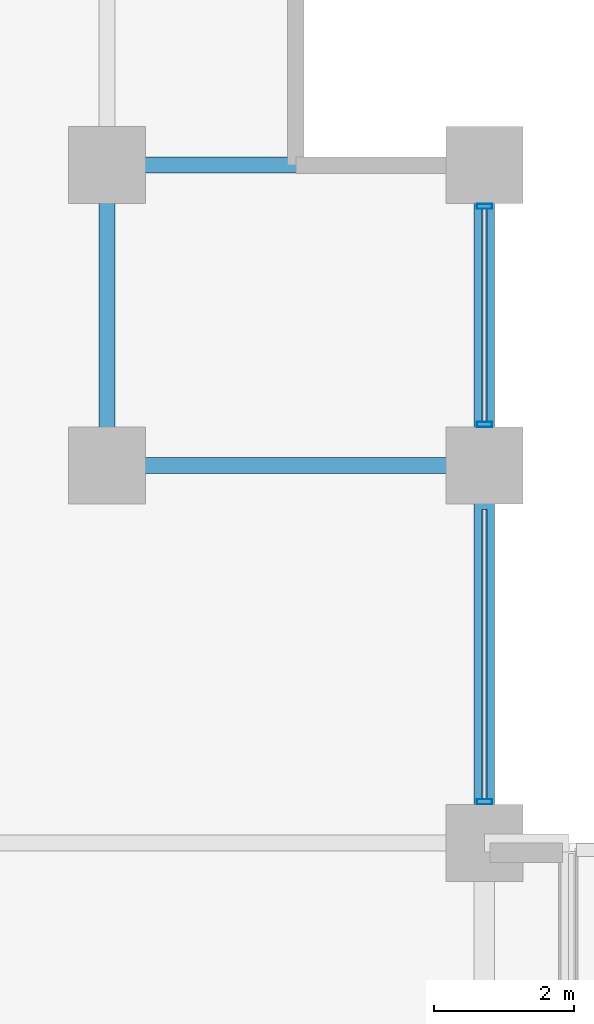
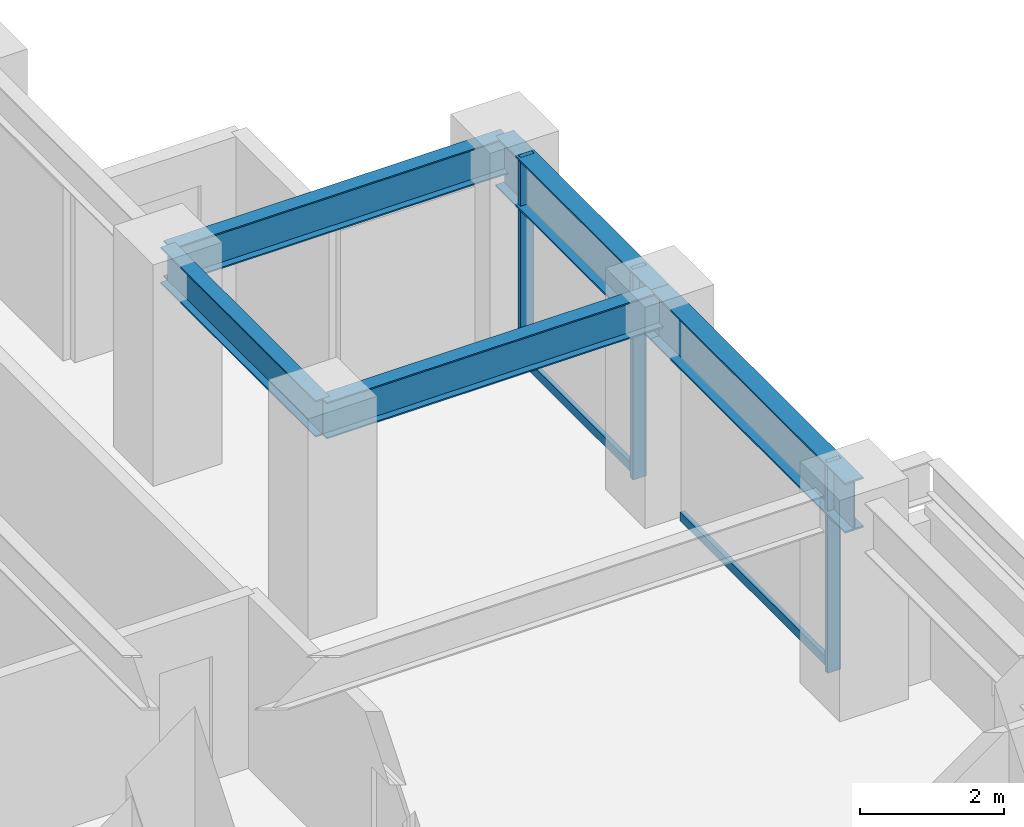
# One storey, part 14 of 25: 5 beams, 5 members, 1 element without a shape of its own.
"""IFC4 building model written with IfcOpenShell, lengths in metres."""

from ifc_helpers import new_model, si_unit, direction, frame, origin, origin_2d, place, context, subcontext, project, spatial, hollow_rectangle, i_section, extrude, material, layer, layer_set, material_profile, profile_set, type_object, element, aggregate, save


model = new_model("IFC4")

# Units and contexts
model_context = context("Model", 3, precision=1e-05, world=origin(), true_north=direction((0.0, 1.0)))
body_context = subcontext(model_context, "Body", "Model", "MODEL_VIEW")
ifc_project = project(units=[si_unit("LENGTHUNIT", "METRE"), si_unit("AREAUNIT", "SQUARE_METRE"), si_unit("VOLUMEUNIT", "CUBIC_METRE"), si_unit("PLANEANGLEUNIT", "RADIAN"), si_unit("MASSUNIT", "GRAM", prefix="KILO")], contexts=[model_context])

# Site, building, storey
site_placement = place(None, origin())
site = spatial("IfcSite", under=ifc_project, at=site_placement, CompositionType="ELEMENT")
building_placement = place(site_placement, origin())
building = spatial("IfcBuilding", under=site, at=building_placement, Name="Surkhivell Harbour Commons", CompositionType="ELEMENT")
storey_placement = place(building_placement, frame((0.0, 0.0, 94.5)))
storey = spatial("IfcBuildingStorey", under=building, at=storey_placement, Name="L24", CompositionType="ELEMENT", Elevation=94.5)

# Beams
ifc_material_1 = material(Name="Steel S355", Category="steel")
ifc_material_profile_1 = material_profile(ifc_material_1, i_section(OverallWidth=0.22998046875, OverallDepth=0.616943359375, WebThickness=0.01318359375, FlangeThickness=0.022216796875, at=origin_2d()), Name="UB610x229x140")
ifc_profile_set_1 = profile_set([ifc_material_profile_1], Name="Steel S355")
beam_type_1 = type_object("IfcBeamType", Name="BM-GRD-610B", PredefinedType="BEAM", material=ifc_profile_set_1)
beam_1_placement = place(storey_placement, frame((16.199951171875, 16.199951171875, 3.261474609375), z_axis=(0.0, 1.0, 0.0), x_axis=(-1.0, 0.0, 0.0)))
element("IfcBeam", 1, at=beam_1_placement, inside=storey, type_object=beam_type_1, Name="L24 Floor Girder (16.2,16.2)", PredefinedType="BEAM", context=body_context, shape_type="SweptSolid", body=[
    extrude(i_section(OverallWidth=0.22998046875, OverallDepth=0.616943359375, WebThickness=0.01318359375, FlangeThickness=0.022216796875, at=origin_2d()), origin(), (0.0, 0.0, 1.0), 4.300048828125),
])
for number, where, z_axis, x_axis, name in (
    (2, (16.199951171875, 16.199951171875, 3.261474609375), (1.0, 0.0, 0.0), (0.0, 1.0, 0.0), "L24 Floor Girder (16.2,16.2)"),
    (3, (16.199951171875, 20.5, 3.261474609375), (1.0, 0.0, 0.0), (0.0, 1.0, 0.0), "L24 Floor Girder (16.2,20.5)"),
):
    element("IfcBeam", number, at=place(storey_placement, frame(where, z_axis=z_axis, x_axis=x_axis)), inside=storey, type_object=beam_type_1, Name=name, PredefinedType="BEAM", context=body_context, shape_type="SweptSolid", body=[
        extrude(i_section(OverallWidth=0.22998046875, OverallDepth=0.616943359375, WebThickness=0.01318359375, FlangeThickness=0.022216796875, at=origin_2d()), origin(), (0.0, 0.0, 1.0), 5.400146484375),
    ])
ifc_material_2 = material(Name="Steel S460", Category="steel")
ifc_material_profile_2 = material_profile(ifc_material_2, i_section(OverallWidth=0.2939453125, OverallDepth=0.85107421875, WebThickness=0.01611328125, FlangeThickness=0.02685546875, at=origin_2d()), Name="UB838x292x226")
ifc_profile_set_2 = profile_set([ifc_material_profile_2], Name="Steel S460")
beam_type_2 = type_object("IfcBeamType", Name="BM-SPN-838", PredefinedType="SPANDREL", material=ifc_profile_set_2)
beam_2_placement = place(storey_placement, frame((21.60009765625, 10.800048828125, 3.14453125), z_axis=(0.0, 1.0, 0.0), x_axis=(-1.0, 0.0, 0.0)))
element("IfcBeam", 4, at=beam_2_placement, inside=storey, type_object=beam_type_2, Name="L24 Tube Spandrel (21.6,10.8)", PredefinedType="SPANDREL", context=body_context, shape_type="SweptSolid", body=[
    extrude(i_section(OverallWidth=0.2939453125, OverallDepth=0.85107421875, WebThickness=0.01611328125, FlangeThickness=0.02685546875, at=origin_2d()), origin(), (0.0, 0.0, 1.0), 5.39990234375),
])
beam_3_placement = place(storey_placement, frame((21.60009765625, 16.199951171875, 3.14453125), z_axis=(0.0, 1.0, 0.0), x_axis=(-1.0, 0.0, 0.0)))
element("IfcBeam", 5, at=beam_3_placement, inside=storey, type_object=beam_type_2, Name="L24 Tube Spandrel (21.6,16.2)", PredefinedType="SPANDREL", context=body_context, shape_type="SweptSolid", body=[
    extrude(i_section(OverallWidth=0.2939453125, OverallDepth=0.85107421875, WebThickness=0.01611328125, FlangeThickness=0.02685546875, at=origin_2d()), origin(), (0.0, 0.0, 1.0), 4.300048828125),
])

# Curtain wall, members
ifc_material_3 = material(Name="Anodised pale-metal aluminium and insulated glazing", Category="aluminium")
ifc_layer = layer(ifc_material_3, 0.205078125)
ifc_layer_set = layer_set([ifc_layer], Name="Anodised pale-metal aluminium and insulated glazing")
curtain_wall_type = type_object("IfcCurtainWallType", Name="CW-SYS-Z2", PredefinedType="NOTDEFINED", material=ifc_layer_set)
curtain_wall_placement = place(storey_placement, origin())
curtain_wall = element("IfcCurtainWall", 6, at=curtain_wall_placement, inside=storey, type_object=curtain_wall_type, Name="L24 Curtain Wall CW-L24-E02R2", PredefinedType="NOTDEFINED")
ifc_material_4 = material(Name="Anodised pale-metal aluminium alloy 6063-T6", Category="aluminium")
ifc_material_profile_3 = material_profile(ifc_material_4, hollow_rectangle(XDim=0.074951171875, YDim=0.219970703125, WallThickness=0.00390625, at=origin_2d()), Name="ALU-MULL-75x220")
ifc_profile_set_3 = profile_set([ifc_material_profile_3], Name="Anodised pale-metal aluminium alloy 6063-T6")
member_type_1 = type_object("IfcMemberType", Name="CWM-220", PredefinedType="MULLION", material=ifc_profile_set_3)
member_1_placement = place(storey_placement, frame((21.60009765625, 11.389404296875, 0.0), z_axis=(0.0, 0.0, 1.0), x_axis=(0.0, 1.0, 0.0)))
member_1 = element("IfcMember", 7, at=member_1_placement, type_object=member_type_1, Name="CW-Z2 mullion 1", PredefinedType="MULLION", context=body_context, shape_type="SweptSolid", body=[
    extrude(hollow_rectangle(XDim=0.074951171875, YDim=0.219970703125, WallThickness=0.00390625, at=origin_2d()), origin(), (0.0, 0.0, 1.0), 3.570068359375),
])
member_2_placement = place(storey_placement, frame((21.60009765625, 16.78955078125, 0.0), z_axis=(0.0, 0.0, 1.0), x_axis=(0.0, 1.0, 0.0)))
member_2 = element("IfcMember", 8, at=member_2_placement, type_object=member_type_1, Name="CW-Z2 mullion 2", PredefinedType="MULLION", context=body_context, shape_type="SweptSolid", body=[
    extrude(hollow_rectangle(XDim=0.074951171875, YDim=0.219970703125, WallThickness=0.00390625, at=origin_2d()), origin(), (0.0, 0.0, 1.0), 3.570068359375),
])
member_3_placement = place(storey_placement, frame((21.60009765625, 19.910400390625, 0.0), z_axis=(0.0, 0.0, 1.0), x_axis=(0.0, 1.0, 0.0)))
member_3 = element("IfcMember", 9, at=member_3_placement, type_object=member_type_1, Name="CW-Z2 mullion 3", PredefinedType="MULLION", context=body_context, shape_type="SweptSolid", body=[
    extrude(hollow_rectangle(XDim=0.074951171875, YDim=0.219970703125, WallThickness=0.00390625, at=origin_2d()), origin(), (0.0, 0.0, 1.0), 3.570068359375),
])
ifc_material_profile_4 = material_profile(ifc_material_4, hollow_rectangle(XDim=0.074951171875, YDim=0.14990234375, WallThickness=0.00341796875, at=origin_2d()), Name="ALU-TRAN-75x150")
ifc_profile_set_4 = profile_set([ifc_material_profile_4], Name="Anodised pale-metal aluminium alloy 6063-T6")
member_type_2 = type_object("IfcMemberType", Name="CWT-150", PredefinedType="USERDEFINED", material=ifc_profile_set_4)
member_4_placement = place(storey_placement, frame((21.60009765625, 11.427001953125, 0.074951171875), z_axis=(0.0, 1.0, 0.0), x_axis=(-1.0, 0.0, 0.0)))
member_4 = element("IfcMember", 10, at=member_4_placement, type_object=member_type_2, Name="CW-Z2 transom 1.1", ObjectType="TRANSOM", PredefinedType="USERDEFINED", context=body_context, shape_type="SweptSolid", body=[
    extrude(hollow_rectangle(XDim=0.074951171875, YDim=0.14990234375, WallThickness=0.00341796875, at=origin_2d()), origin(), (0.0, 0.0, 1.0), 4.14599609375),
])
member_5_placement = place(storey_placement, frame((21.60009765625, 16.826904296875, 0.074951171875), z_axis=(0.0, 1.0, 0.0), x_axis=(-1.0, 0.0, 0.0)))
member_5 = element("IfcMember", 11, at=member_5_placement, type_object=member_type_2, Name="CW-Z2 transom 2.1", ObjectType="TRANSOM", PredefinedType="USERDEFINED", context=body_context, shape_type="SweptSolid", body=[
    extrude(hollow_rectangle(XDim=0.074951171875, YDim=0.14990234375, WallThickness=0.00341796875, at=origin_2d()), origin(), (0.0, 0.0, 1.0), 3.046142578125),
])
aggregate(curtain_wall, [member_1, member_4, member_2, member_3, member_5])

save(model, "model.ifc")
